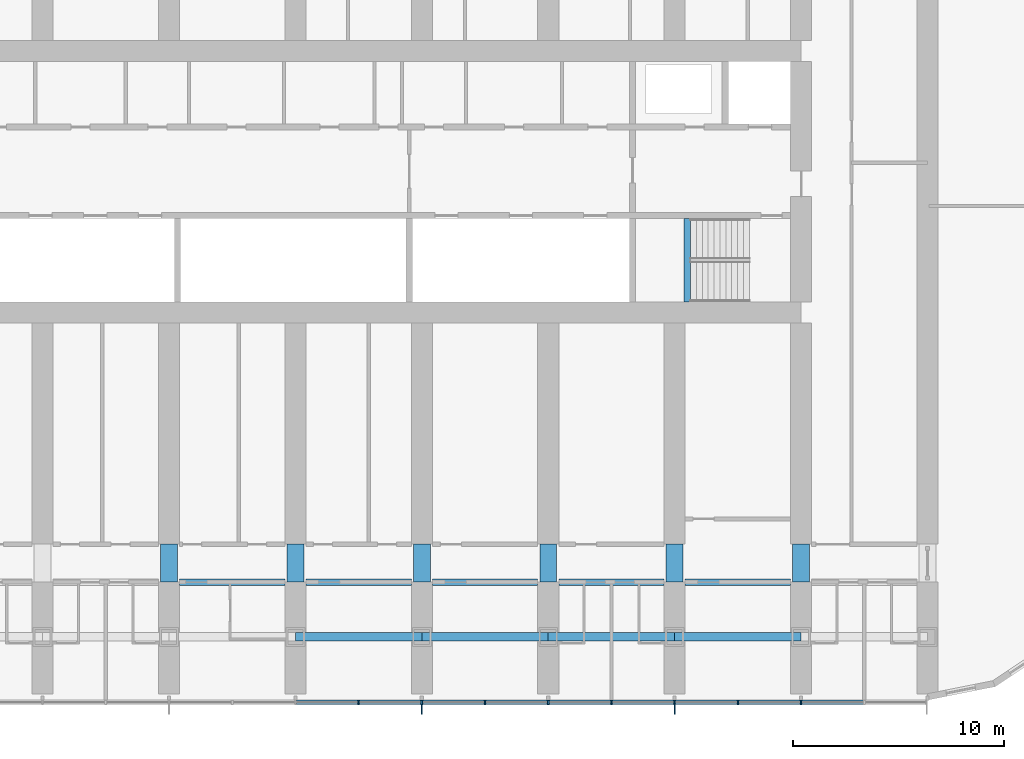
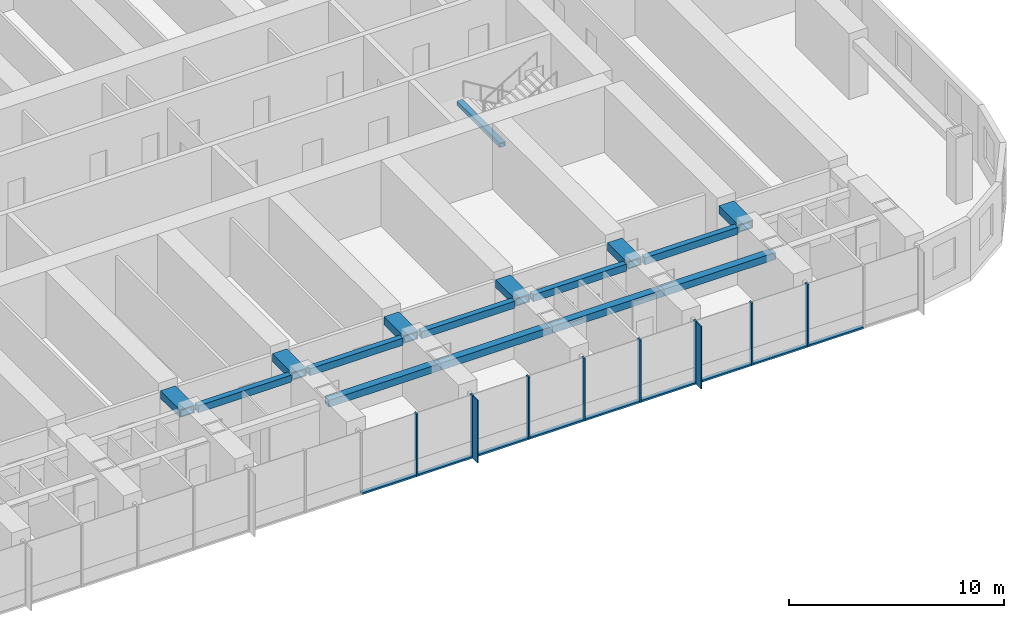
# One storey, part 3 of 23: 19 members, 16 beams, 1 element without a shape of its own.
"""IFC4 building model written with IfcOpenShell, lengths in metres."""

from ifc_helpers import new_model, si_unit, direction, frame, origin, origin_2d, place, context, subcontext, project, spatial, rectangle, hollow_rectangle, extrude, material, material_profile, profile_set, type_object, element, aggregate, save


model = new_model("IFC4")

# Units and contexts
model_context = context("Model", 3, precision=1e-05, world=origin(), true_north=direction((0.0, 1.0)))
body_context = subcontext(model_context, "Body", "Model", "MODEL_VIEW")
ifc_project = project(units=[si_unit("LENGTHUNIT", "METRE"), si_unit("AREAUNIT", "SQUARE_METRE"), si_unit("VOLUMEUNIT", "CUBIC_METRE"), si_unit("PLANEANGLEUNIT", "RADIAN"), si_unit("MASSUNIT", "GRAM", prefix="KILO")], contexts=[model_context])

# Site, building, storey
site_placement = place(None, origin())
site = spatial("IfcSite", under=ifc_project, at=site_placement, CompositionType="ELEMENT")
building_placement = place(site_placement, origin())
building = spatial("IfcBuilding", under=site, at=building_placement, Name="Orbita Commons", CompositionType="ELEMENT")
storey_placement = place(building_placement, frame((0.0, 0.0, 50.199951171875)))
storey = spatial("IfcBuildingStorey", under=building, at=storey_placement, Name="L12", CompositionType="ELEMENT", Elevation=50.199951171875)

# Curtain wall, members
ifc_material_1 = material(Name="Anodised aluminium frame, pale silver", Category="aluminium")
curtain_wall_type = type_object("IfcCurtainWallType", Name="Unitised curtain wall CW-T, vision and spandrel", PredefinedType="NOTDEFINED", material=ifc_material_1)
curtain_wall_placement = place(storey_placement, origin())
curtain_wall = element("IfcCurtainWall", 1, at=curtain_wall_placement, inside=storey, type_object=curtain_wall_type, Name="Curtain wall south L12", PredefinedType="NOTDEFINED")
ifc_material_2 = material(Name="Anodised aluminium, pale silver", Category="aluminium")
ifc_material_profile_1 = material_profile(ifc_material_2, rectangle(XDim=0.080078125, YDim=0.219970703125, at=origin_2d()), Name="AL 80x220")
ifc_profile_set_1 = profile_set([ifc_material_profile_1], Name="Anodised aluminium, pale silver")
member_type_1 = type_object("IfcMemberType", Name="Curtain wall mullion 80x220", PredefinedType="MULLION", material=ifc_profile_set_1)
member_1_placement = place(storey_placement, frame((45.0, 7.2900390625, -0.25), z_axis=(0.0, 0.0, 1.0), x_axis=(1.0, 0.0, 0.0)))
member_1 = element("IfcMember", 2, at=member_1_placement, type_object=member_type_1, Name="Mullion 12 CW-L12-S", PredefinedType="MULLION", context=body_context, shape_type="SweptSolid", body=[
    extrude(rectangle(XDim=0.080078125, YDim=0.219970703125, at=origin_2d()), origin(), (0.0, 0.0, 1.0), 3.550048828125),
])
member_2_placement = place(storey_placement, frame((48.0, 7.2900390625, -0.25), z_axis=(0.0, 0.0, 1.0), x_axis=(1.0, 0.0, 0.0)))
member_2 = element("IfcMember", 3, at=member_2_placement, type_object=member_type_1, Name="Mullion 13 CW-L12-S", PredefinedType="MULLION", context=body_context, shape_type="SweptSolid", body=[
    extrude(rectangle(XDim=0.080078125, YDim=0.219970703125, at=origin_2d()), origin(), (0.0, 0.0, 1.0), 3.550048828125),
])
member_3_placement = place(storey_placement, frame((51.0, 7.2900390625, -0.25), z_axis=(0.0, 0.0, 1.0), x_axis=(1.0, 0.0, 0.0)))
member_3 = element("IfcMember", 4, at=member_3_placement, type_object=member_type_1, Name="Mullion 14 CW-L12-S", PredefinedType="MULLION", context=body_context, shape_type="SweptSolid", body=[
    extrude(rectangle(XDim=0.080078125, YDim=0.219970703125, at=origin_2d()), origin(), (0.0, 0.0, 1.0), 3.550048828125),
])
member_4_placement = place(storey_placement, frame((54.0, 7.2900390625, -0.25), z_axis=(0.0, 0.0, 1.0), x_axis=(1.0, 0.0, 0.0)))
member_4 = element("IfcMember", 5, at=member_4_placement, type_object=member_type_1, Name="Mullion 15 CW-L12-S", PredefinedType="MULLION", context=body_context, shape_type="SweptSolid", body=[
    extrude(rectangle(XDim=0.080078125, YDim=0.219970703125, at=origin_2d()), origin(), (0.0, 0.0, 1.0), 3.550048828125),
])
member_5_placement = place(storey_placement, frame((57.0, 7.2900390625, -0.25), z_axis=(0.0, 0.0, 1.0), x_axis=(1.0, 0.0, 0.0)))
member_5 = element("IfcMember", 6, at=member_5_placement, type_object=member_type_1, Name="Mullion 16 CW-L12-S", PredefinedType="MULLION", context=body_context, shape_type="SweptSolid", body=[
    extrude(rectangle(XDim=0.080078125, YDim=0.219970703125, at=origin_2d()), origin(), (0.0, 0.0, 1.0), 3.550048828125),
])
member_6_placement = place(storey_placement, frame((60.0, 7.2900390625, -0.25), z_axis=(0.0, 0.0, 1.0), x_axis=(1.0, 0.0, 0.0)))
member_6 = element("IfcMember", 7, at=member_6_placement, type_object=member_type_1, Name="Mullion 17 CW-L12-S", PredefinedType="MULLION", context=body_context, shape_type="SweptSolid", body=[
    extrude(rectangle(XDim=0.080078125, YDim=0.219970703125, at=origin_2d()), origin(), (0.0, 0.0, 1.0), 3.550048828125),
])
member_7_placement = place(storey_placement, frame((63.0, 7.2900390625, -0.25), z_axis=(0.0, 0.0, 1.0), x_axis=(1.0, 0.0, 0.0)))
member_7 = element("IfcMember", 8, at=member_7_placement, type_object=member_type_1, Name="Mullion 18 CW-L12-S", PredefinedType="MULLION", context=body_context, shape_type="SweptSolid", body=[
    extrude(rectangle(XDim=0.080078125, YDim=0.219970703125, at=origin_2d()), origin(), (0.0, 0.0, 1.0), 3.550048828125),
])
member_8_placement = place(storey_placement, frame((66.0, 7.2900390625, -0.25), z_axis=(0.0, 0.0, 1.0), x_axis=(1.0, 0.0, 0.0)))
member_8 = element("IfcMember", 9, at=member_8_placement, type_object=member_type_1, Name="Mullion 19 CW-L12-S", PredefinedType="MULLION", context=body_context, shape_type="SweptSolid", body=[
    extrude(rectangle(XDim=0.080078125, YDim=0.219970703125, at=origin_2d()), origin(), (0.0, 0.0, 1.0), 3.550048828125),
])
ifc_material_3 = material(Name="Anodised aluminium, pale silver", Category="aluminium")
ifc_material_profile_2 = material_profile(ifc_material_3, rectangle(XDim=0.219970703125, YDim=0.10009765625, at=origin_2d()), Name="AL 220x100")
ifc_profile_set_2 = profile_set([ifc_material_profile_2], Name="Anodised aluminium, pale silver")
member_type_2 = type_object("IfcMemberType", Name="Curtain wall stack transom 220x100", PredefinedType="USERDEFINED", material=ifc_profile_set_2)
member_9_placement = place(storey_placement, frame((42.0400390625, 7.2900390625, -0.199951171875), z_axis=(1.0, 0.0, 0.0), x_axis=(0.0, 1.0, 0.0)))
member_9 = element("IfcMember", 10, at=member_9_placement, type_object=member_type_2, Name="Transom 11.1 CW-L12-S", ObjectType="TRANSOM", PredefinedType="USERDEFINED", context=body_context, shape_type="SweptSolid", body=[
    extrude(rectangle(XDim=0.219970703125, YDim=0.10009765625, at=origin_2d()), origin(), (0.0, 0.0, 1.0), 2.919921875),
])
member_10_placement = place(storey_placement, frame((45.0400390625, 7.2900390625, -0.199951171875), z_axis=(1.0, 0.0, 0.0), x_axis=(0.0, 1.0, 0.0)))
member_10 = element("IfcMember", 11, at=member_10_placement, type_object=member_type_2, Name="Transom 12.1 CW-L12-S", ObjectType="TRANSOM", PredefinedType="USERDEFINED", context=body_context, shape_type="SweptSolid", body=[
    extrude(rectangle(XDim=0.219970703125, YDim=0.10009765625, at=origin_2d()), origin(), (0.0, 0.0, 1.0), 2.919921875),
])
member_11_placement = place(storey_placement, frame((48.0400390625, 7.2900390625, -0.199951171875), z_axis=(1.0, 0.0, 0.0), x_axis=(0.0, 1.0, 0.0)))
member_11 = element("IfcMember", 12, at=member_11_placement, type_object=member_type_2, Name="Transom 13.1 CW-L12-S", ObjectType="TRANSOM", PredefinedType="USERDEFINED", context=body_context, shape_type="SweptSolid", body=[
    extrude(rectangle(XDim=0.219970703125, YDim=0.10009765625, at=origin_2d()), origin(), (0.0, 0.0, 1.0), 2.919921875),
])
member_12_placement = place(storey_placement, frame((51.0400390625, 7.2900390625, -0.199951171875), z_axis=(1.0, 0.0, 0.0), x_axis=(0.0, 1.0, 0.0)))
member_12 = element("IfcMember", 13, at=member_12_placement, type_object=member_type_2, Name="Transom 14.1 CW-L12-S", ObjectType="TRANSOM", PredefinedType="USERDEFINED", context=body_context, shape_type="SweptSolid", body=[
    extrude(rectangle(XDim=0.219970703125, YDim=0.10009765625, at=origin_2d()), origin(), (0.0, 0.0, 1.0), 2.919921875),
])
member_13_placement = place(storey_placement, frame((54.0400390625, 7.2900390625, -0.199951171875), z_axis=(1.0, 0.0, 0.0), x_axis=(0.0, 1.0, 0.0)))
member_13 = element("IfcMember", 14, at=member_13_placement, type_object=member_type_2, Name="Transom 15.1 CW-L12-S", ObjectType="TRANSOM", PredefinedType="USERDEFINED", context=body_context, shape_type="SweptSolid", body=[
    extrude(rectangle(XDim=0.219970703125, YDim=0.10009765625, at=origin_2d()), origin(), (0.0, 0.0, 1.0), 2.919921875),
])
member_14_placement = place(storey_placement, frame((57.0400390625, 7.2900390625, -0.199951171875), z_axis=(1.0, 0.0, 0.0), x_axis=(0.0, 1.0, 0.0)))
member_14 = element("IfcMember", 15, at=member_14_placement, type_object=member_type_2, Name="Transom 16.1 CW-L12-S", ObjectType="TRANSOM", PredefinedType="USERDEFINED", context=body_context, shape_type="SweptSolid", body=[
    extrude(rectangle(XDim=0.219970703125, YDim=0.10009765625, at=origin_2d()), origin(), (0.0, 0.0, 1.0), 2.919921875),
])
member_15_placement = place(storey_placement, frame((60.0400390625, 7.2900390625, -0.199951171875), z_axis=(1.0, 0.0, 0.0), x_axis=(0.0, 1.0, 0.0)))
member_15 = element("IfcMember", 16, at=member_15_placement, type_object=member_type_2, Name="Transom 17.1 CW-L12-S", ObjectType="TRANSOM", PredefinedType="USERDEFINED", context=body_context, shape_type="SweptSolid", body=[
    extrude(rectangle(XDim=0.219970703125, YDim=0.10009765625, at=origin_2d()), origin(), (0.0, 0.0, 1.0), 2.919921875),
])
member_16_placement = place(storey_placement, frame((63.0400390625, 7.2900390625, -0.199951171875), z_axis=(1.0, 0.0, 0.0), x_axis=(0.0, 1.0, 0.0)))
member_16 = element("IfcMember", 17, at=member_16_placement, type_object=member_type_2, Name="Transom 18.1 CW-L12-S", ObjectType="TRANSOM", PredefinedType="USERDEFINED", context=body_context, shape_type="SweptSolid", body=[
    extrude(rectangle(XDim=0.219970703125, YDim=0.10009765625, at=origin_2d()), origin(), (0.0, 0.0, 1.0), 2.919921875),
])
member_17_placement = place(storey_placement, frame((66.0400390625, 7.2900390625, -0.199951171875), z_axis=(1.0, 0.0, 0.0), x_axis=(0.0, 1.0, 0.0)))
member_17 = element("IfcMember", 18, at=member_17_placement, type_object=member_type_2, Name="Transom 19.1 CW-L12-S", ObjectType="TRANSOM", PredefinedType="USERDEFINED", context=body_context, shape_type="SweptSolid", body=[
    extrude(rectangle(XDim=0.219970703125, YDim=0.10009765625, at=origin_2d()), origin(), (0.0, 0.0, 1.0), 2.919921875),
])

# Beams
ifc_material_4 = material(Name="Steel ASTM A572 Gr 50 welded plate", Category="steel")
ifc_material_profile_3 = material_profile(ifc_material_4, hollow_rectangle(XDim=0.300048828125, YDim=0.25, WallThickness=0.02490234375, at=origin_2d()), Name="BOX 250x300x25")
ifc_profile_set_3 = profile_set([ifc_material_profile_3], Name="Steel ASTM A572 Gr 50 welded plate")
beam_type_1 = type_object("IfcBeamType", Name="Stair landing beam steel BOX 250x300x25", PredefinedType="BEAM", material=ifc_profile_set_3)
beam_placement = place(storey_placement, frame((60.60009765625, 26.284912109375, 1.550048828125), z_axis=(0.0, 1.0, 0.0), x_axis=(-1.0, 0.0, 0.0)))
element("IfcBeam", 19, at=beam_placement, inside=storey, type_object=beam_type_1, Name="Stair S2 landing beam L12 1", PredefinedType="BEAM", context=body_context, shape_type="SweptSolid", body=[
    extrude(hollow_rectangle(XDim=0.300048828125, YDim=0.25, WallThickness=0.02490234375, at=origin_2d()), origin(), (0.0, 0.0, 1.0), 3.97998046875),
])
ifc_material_5 = material(Name="Steel ASTM A572 Gr 50 welded plate", Category="steel")
ifc_material_profile_4 = material_profile(ifc_material_5, hollow_rectangle(XDim=0.300048828125, YDim=0.39990234375, WallThickness=0.0400390625, at=origin_2d()), Name="BOX 400x300x40")
ifc_profile_set_4 = profile_set([ifc_material_profile_4], Name="Steel ASTM A572 Gr 50 welded plate")
beam_type_2 = type_object("IfcBeamType", Name="Steel corridor link BOX 400x300x40", PredefinedType="BEAM", material=ifc_profile_set_4)
for number, where, z_axis, x_axis, name in (
    (20, (36.5, 13.0, 3.10009765625), (1.0, 0.0, 0.0), (0.0, 1.0, 0.0), "Corridor beam SA 7-8 L12"),
    (21, (42.5, 13.0, 3.10009765625), (1.0, 0.0, 0.0), (0.0, 1.0, 0.0), "Corridor beam SA 8-9 L12"),
    (22, (48.5, 13.0, 3.10009765625), (1.0, 0.0, 0.0), (0.0, 1.0, 0.0), "Corridor beam SA 9-10 L12"),
    (23, (54.5, 13.0, 3.10009765625), (1.0, 0.0, 0.0), (0.0, 1.0, 0.0), "Corridor beam SA 10-11 L12"),
    (24, (60.5, 13.0, 3.10009765625), (1.0, 0.0, 0.0), (0.0, 1.0, 0.0), "Corridor beam SA 11-12 L12"),
):
    element("IfcBeam", number, at=place(storey_placement, frame(where, z_axis=z_axis, x_axis=x_axis)), inside=storey, type_object=beam_type_2, Name=name, PredefinedType="BEAM", context=body_context, shape_type="SweptSolid", body=[
        extrude(hollow_rectangle(XDim=0.300048828125, YDim=0.39990234375, WallThickness=0.0400390625, at=origin_2d()), origin(), (0.0, 0.0, 1.0), 5.0),
    ])
ifc_material_6 = material(Name="Steel ASTM A572 Gr 50 welded plate", Category="steel")
ifc_material_profile_5 = material_profile(ifc_material_6, hollow_rectangle(XDim=0.800048828125, YDim=0.449951171875, WallThickness=0.06005859375, at=origin_2d()), Name="BOX 450x800x60")
ifc_profile_set_5 = profile_set([ifc_material_profile_5], Name="Steel ASTM A572 Gr 50 welded plate")
beam_type_3 = type_object("IfcBeamType", Name="Steel coupling link BOX 450x800x60", PredefinedType="LINTEL", material=ifc_profile_set_5)
for number, where, z_axis, x_axis, name in (
    (25, (36.0, 13.0, 3.074951171875), (0.0, 1.0, 0.0), (-1.0, 0.0, 0.0), "Coupling beam 7 south L12"),
    (26, (42.0, 13.0, 3.074951171875), (0.0, 1.0, 0.0), (-1.0, 0.0, 0.0), "Coupling beam 8 south L12"),
    (27, (48.0, 13.0, 3.074951171875), (0.0, 1.0, 0.0), (-1.0, 0.0, 0.0), "Coupling beam 9 south L12"),
    (28, (54.0, 13.0, 3.074951171875), (0.0, 1.0, 0.0), (-1.0, 0.0, 0.0), "Coupling beam 10 south L12"),
    (29, (60.0, 13.0, 3.074951171875), (0.0, 1.0, 0.0), (-1.0, 0.0, 0.0), "Coupling beam 11 south L12"),
    (30, (66.0, 13.0, 3.074951171875), (0.0, 1.0, 0.0), (-1.0, 0.0, 0.0), "Coupling beam 12 south L12"),
):
    element("IfcBeam", number, at=place(storey_placement, frame(where, z_axis=z_axis, x_axis=x_axis)), inside=storey, type_object=beam_type_3, Name=name, PredefinedType="LINTEL", context=body_context, shape_type="SweptSolid", body=[
        extrude(hollow_rectangle(XDim=0.800048828125, YDim=0.449951171875, WallThickness=0.06005859375, at=origin_2d()), origin(), (0.0, 0.0, 1.0), 1.800048828125),
    ])
ifc_material_7 = material(Name="Steel ASTM A572 Gr 50 welded plate", Category="steel")
ifc_material_profile_6 = material_profile(ifc_material_7, hollow_rectangle(XDim=0.39990234375, YDim=0.39990234375, WallThickness=0.0400390625, at=origin_2d()), Name="BOX 400x400x40")
ifc_profile_set_6 = profile_set([ifc_material_profile_6], Name="Steel ASTM A572 Gr 50 welded plate")
beam_type_4 = type_object("IfcBeamType", Name="Steel spandrel BOX 400x400x40", PredefinedType="SPANDREL", material=ifc_profile_set_6)
for number, where, z_axis, x_axis, name in (
    (31, (42.0, 10.39990234375, 3.10009765625), (1.0, 0.0, 0.0), (0.0, 1.0, 0.0), "Spandrel beam B 8-9 L12"),
    (32, (48.0, 10.39990234375, 3.10009765625), (1.0, 0.0, 0.0), (0.0, 1.0, 0.0), "Spandrel beam B 9-10 L12"),
    (33, (54.0, 10.39990234375, 3.10009765625), (1.0, 0.0, 0.0), (0.0, 1.0, 0.0), "Spandrel beam B 10-11 L12"),
    (34, (60.0, 10.39990234375, 3.10009765625), (1.0, 0.0, 0.0), (0.0, 1.0, 0.0), "Spandrel beam B 11-12 L12"),
):
    element("IfcBeam", number, at=place(storey_placement, frame(where, z_axis=z_axis, x_axis=x_axis)), inside=storey, type_object=beam_type_4, Name=name, PredefinedType="SPANDREL", context=body_context, shape_type="SweptSolid", body=[
        extrude(hollow_rectangle(XDim=0.39990234375, YDim=0.39990234375, WallThickness=0.0400390625, at=origin_2d()), origin(), (0.0, 0.0, 1.0), 6.0),
    ])

# Member
ifc_material_8 = material(Name="Anodised aluminium, pale silver", Category="aluminium")
ifc_material_profile_7 = material_profile(ifc_material_8, rectangle(XDim=0.06005859375, YDim=0.449951171875, at=origin_2d()), Name="FIN 60x450")
ifc_profile_set_7 = profile_set([ifc_material_profile_7], Name="Anodised aluminium, pale silver")
member_type_3 = type_object("IfcMemberType", Name="Vertical fin 60x450 pale aluminium", PredefinedType="USERDEFINED", material=ifc_profile_set_7)
member_18_placement = place(storey_placement, frame((48.0, 6.955078125, -0.25), z_axis=(0.0, 0.0, 1.0), x_axis=(1.0, 0.0, 0.0)))
member_18 = element("IfcMember", 35, at=member_18_placement, type_object=member_type_3, Name="Fin 13 CW-L12-S", ObjectType="FIN", PredefinedType="USERDEFINED", context=body_context, shape_type="SweptSolid", body=[
    extrude(rectangle(XDim=0.06005859375, YDim=0.449951171875, at=origin_2d()), origin(), (0.0, 0.0, 1.0), 3.550048828125),
])

member_19_placement = place(storey_placement, frame((60.0, 6.955078125, -0.25), z_axis=(0.0, 0.0, 1.0), x_axis=(1.0, 0.0, 0.0)))
member_19 = element("IfcMember", 36, at=member_19_placement, type_object=member_type_3, Name="Fin 17 CW-L12-S", ObjectType="FIN", PredefinedType="USERDEFINED", context=body_context, shape_type="SweptSolid", body=[
    extrude(rectangle(XDim=0.06005859375, YDim=0.449951171875, at=origin_2d()), origin(), (0.0, 0.0, 1.0), 3.550048828125),
])

aggregate(curtain_wall, [member_1, member_2, member_18, member_3, member_4, member_5, member_6, member_19, member_7, member_8, member_9, member_10, member_11, member_12, member_13, member_14, member_15, member_16, member_17])

save(model, "model.ifc")
